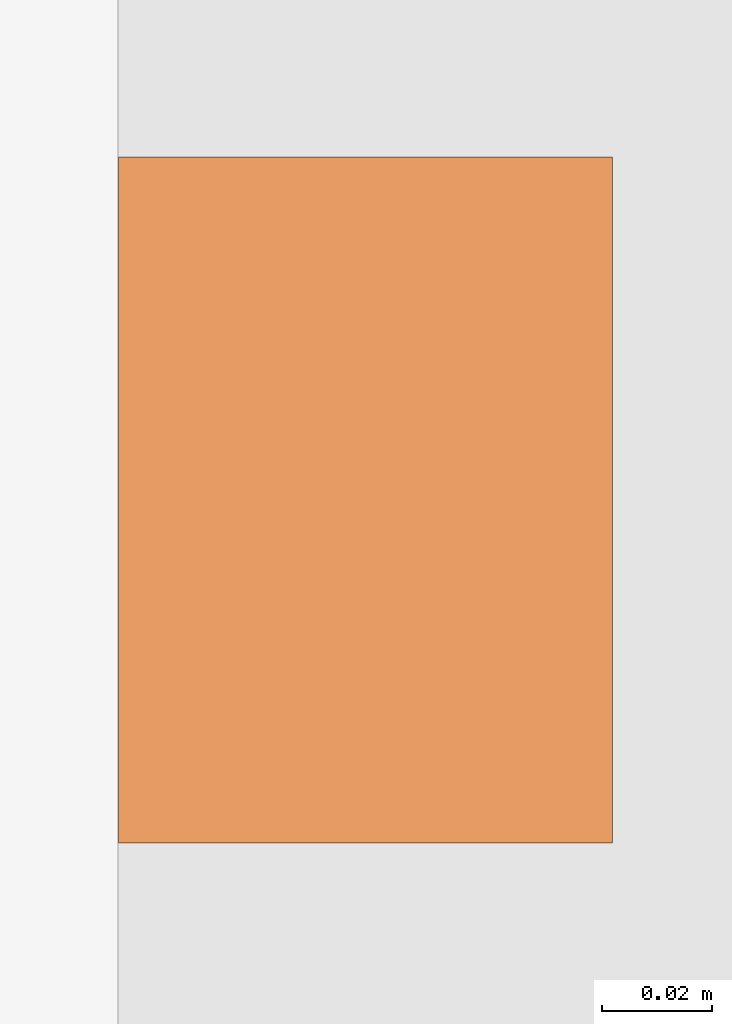
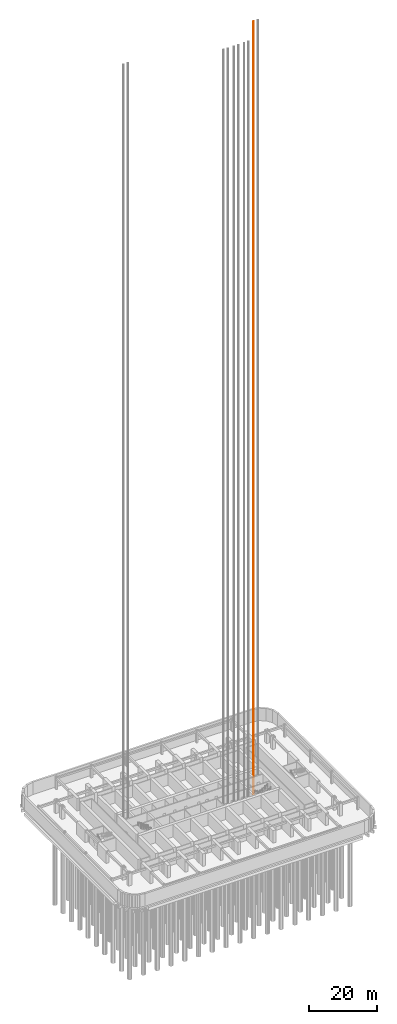
# One storey, part 27 of 28: 1 proxy.
"""IFC4 building model written with IfcOpenShell, lengths in metres."""

from ifc_helpers import new_model, si_unit, direction, frame, origin, origin_2d, place, context, subcontext, project, spatial, rectangle, extrude, material, element, save


model = new_model("IFC4")

# Units and contexts
model_context = context("Model", 3, precision=1e-05, world=origin(), true_north=direction((0.0, 1.0)))
body_context = subcontext(model_context, "Body", "Model", "MODEL_VIEW")
ifc_project = project(units=[si_unit("LENGTHUNIT", "METRE"), si_unit("AREAUNIT", "SQUARE_METRE"), si_unit("VOLUMEUNIT", "CUBIC_METRE"), si_unit("PLANEANGLEUNIT", "RADIAN"), si_unit("MASSUNIT", "GRAM", prefix="KILO")], contexts=[model_context])

# Site, building, storey
site_placement = place(None, origin())
site = spatial("IfcSite", under=ifc_project, at=site_placement, CompositionType="ELEMENT")
building_placement = place(site_placement, origin())
building = spatial("IfcBuilding", under=site, at=building_placement, Name="Orbita Commons", CompositionType="ELEMENT")
storey_placement = place(building_placement, frame((0.0, 0.0, -9.0)))
storey = spatial("IfcBuildingStorey", under=building, at=storey_placement, Name="L-02", CompositionType="ELEMENT", Elevation=-9.0)

# Proxy
ifc_material = material(Name="Machined steel guide rail", Category="steel")
placement = place(storey_placement, frame((64.199951171875, 36.39990234375, 0.0), z_axis=(0.0, 0.0, 1.0), x_axis=(1.0, 0.0, 0.0)))
proxy_placement = place(placement, frame((-0.7548828125, 0.0, -3.199951171875)))
element("IfcBuildingElementProxy", 1, at=proxy_placement, inside=storey, material=ifc_material, Name="FL2 guide rail 1", ObjectType="GUIDE RAIL", PredefinedType="USERDEFINED", context=body_context, shape_type="SweptSolid", body=[
    extrude(rectangle(XDim=0.09, YDim=0.125, at=origin_2d()), origin(), (0.0, 0.0, 1.0), 279.0),
])

save(model, "model.ifc")
